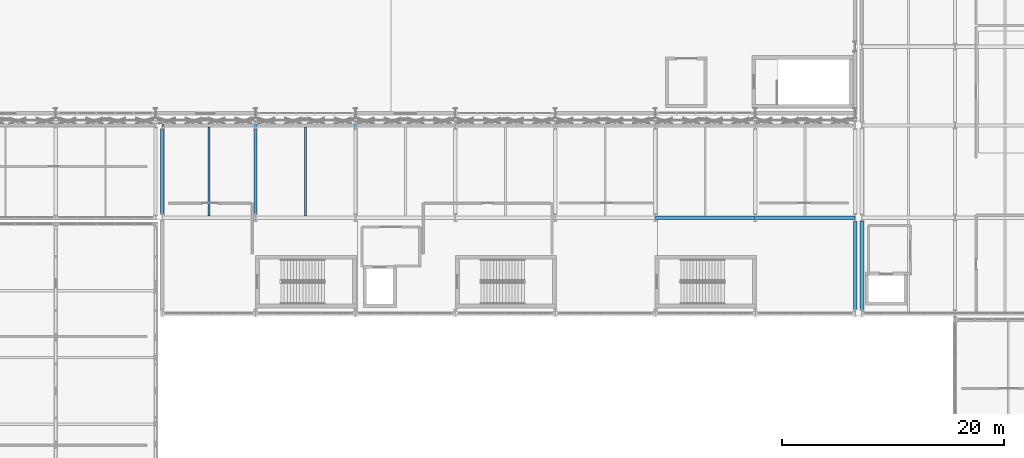
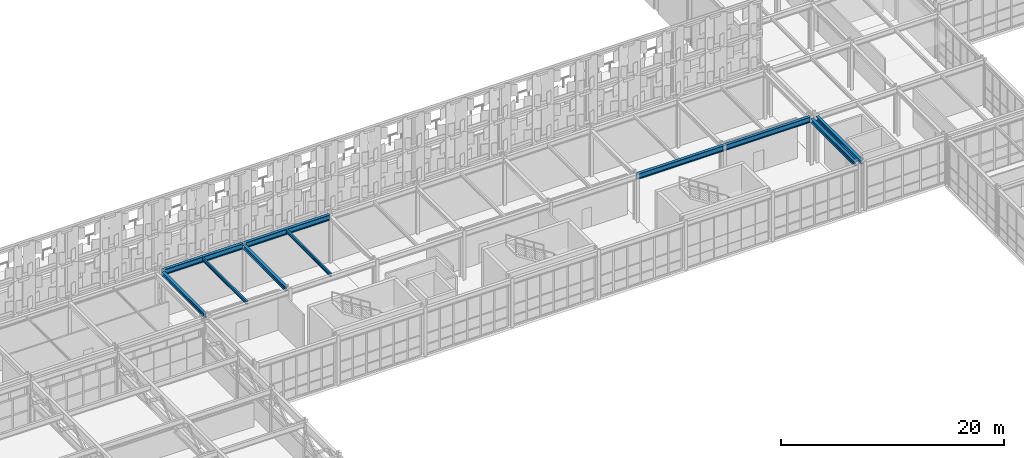
# One storey, part 66 of 210: 10 beams.
"""IFC4 building model written with IfcOpenShell, lengths in metres."""

from ifc_helpers import new_model, si_unit, direction, frame, origin, origin_2d, place, context, subcontext, project, spatial, i_section, extrude, material, material_profile, profile_set, type_object, element, save


model = new_model("IFC4")

# Units and contexts
model_context = context("Model", 3, precision=1e-05, world=origin(), true_north=direction((0.0, 1.0)))
body_context = subcontext(model_context, "Body", "Model", "MODEL_VIEW")
ifc_project = project(units=[si_unit("LENGTHUNIT", "METRE"), si_unit("AREAUNIT", "SQUARE_METRE"), si_unit("VOLUMEUNIT", "CUBIC_METRE"), si_unit("PLANEANGLEUNIT", "RADIAN"), si_unit("MASSUNIT", "GRAM", prefix="KILO")], contexts=[model_context])

# Site, building, storey
site_placement = place(None, origin())
site = spatial("IfcSite", under=ifc_project, at=site_placement, CompositionType="ELEMENT")
building_placement = place(site_placement, origin())
building = spatial("IfcBuilding", under=site, at=building_placement, Name="Kaldris Quays Convention Centre", CompositionType="ELEMENT")
storey_placement = place(building_placement, frame((0.0, 0.0, 6.0)))
storey = spatial("IfcBuildingStorey", under=building, at=storey_placement, Name="L01", CompositionType="ELEMENT", Elevation=6.0)

# Beams
ifc_material = material(Name="Steel S355J2", Category="steel")
ifc_material_profile_1 = material_profile(ifc_material, i_section(OverallWidth=0.300048828125, OverallDepth=0.60009765625, WebThickness=0.015380859375, FlangeThickness=0.030029296875, FilletRadius=0.027099609375, at=origin_2d()), Name="HEB 600")
ifc_profile_set_1 = profile_set([ifc_material_profile_1], Name="Steel S355J2")
beam_type_1 = type_object("IfcBeamType", Name="STRUCTURAL BEAM BM05", PredefinedType="BEAM", material=ifc_profile_set_1)
for number, where, z_axis, x_axis, name in (
    (1, (128.00244140625, 46.60009765625, 4.843017578125), (1.0, 0.0, 0.0), (0.0, 1.0, 0.0), "L01 Girder BM05 15"),
    (2, (137.00244140625, 46.60009765625, 4.843017578125), (1.0, 0.0, 0.0), (0.0, 1.0, 0.0), "L01 Girder BM05 16"),
):
    element("IfcBeam", number, at=place(storey_placement, frame(where, z_axis=z_axis, x_axis=x_axis)), inside=storey, type_object=beam_type_1, Name=name, PredefinedType="BEAM", context=body_context, shape_type="SweptSolid", body=[
        extrude(i_section(OverallWidth=0.300048828125, OverallDepth=0.60009765625, WebThickness=0.015380859375, FlangeThickness=0.030029296875, FilletRadius=0.027099609375, at=origin_2d()), origin(), (0.0, 0.0, 1.0), 8.9951171875),
    ])
beam_1_placement = place(storey_placement, frame((83.6025390625, 54.89990234375, 4.843017578125), z_axis=(1.0, 0.0, 0.0), x_axis=(0.0, 1.0, 0.0)))
element("IfcBeam", 3, at=beam_1_placement, inside=storey, type_object=beam_type_1, Name="L01 Girder BM05 19", PredefinedType="BEAM", context=body_context, shape_type="SweptSolid", body=[
    extrude(i_section(OverallWidth=0.300048828125, OverallDepth=0.60009765625, WebThickness=0.015380859375, FlangeThickness=0.030029296875, FilletRadius=0.027099609375, at=origin_2d()), origin(), (0.0, 0.0, 1.0), 8.39501953125),
])
beam_2_placement = place(storey_placement, frame((92.00244140625, 54.89990234375, 4.843017578125), z_axis=(1.0, 0.0, 0.0), x_axis=(0.0, 1.0, 0.0)))
element("IfcBeam", 4, at=beam_2_placement, inside=storey, type_object=beam_type_1, Name="L01 Girder BM05 20", PredefinedType="BEAM", context=body_context, shape_type="SweptSolid", body=[
    extrude(i_section(OverallWidth=0.300048828125, OverallDepth=0.60009765625, WebThickness=0.015380859375, FlangeThickness=0.030029296875, FilletRadius=0.027099609375, at=origin_2d()), origin(), (0.0, 0.0, 1.0), 8.9951171875),
])
ifc_material_profile_2 = material_profile(ifc_material, i_section(OverallWidth=0.300048828125, OverallDepth=0.449951171875, WebThickness=0.013916015625, FlangeThickness=0.02587890625, FilletRadius=0.027099609375, at=origin_2d()), Name="HEB 450")
ifc_profile_set_2 = profile_set([ifc_material_profile_2], Name="Steel S355J2")
beam_type_2 = type_object("IfcBeamType", Name="STRUCTURAL BEAM BM07", PredefinedType="BEAM", material=ifc_profile_set_2)
for number, where, z_axis, x_axis, name in (
    (5, (83.60009765625, 46.944091796875, 4.91796875), (0.0, 1.0, 0.0), (-1.0, 0.0, 0.0), "L01 Girder BM07 57"),
    (6, (92.0, 46.944091796875, 4.91796875), (0.0, 1.0, 0.0), (-1.0, 0.0, 0.0), "L01 Girder BM07 58"),
):
    element("IfcBeam", number, at=place(storey_placement, frame(where, z_axis=z_axis, x_axis=x_axis)), inside=storey, type_object=beam_type_2, Name=name, PredefinedType="BEAM", context=body_context, shape_type="SweptSolid", body=[
        extrude(i_section(OverallWidth=0.300048828125, OverallDepth=0.449951171875, WebThickness=0.013916015625, FlangeThickness=0.02587890625, FilletRadius=0.027099609375, at=origin_2d()), origin(), (0.0, 0.0, 1.0), 7.61181640625),
    ])
beam_3_placement = place(storey_placement, frame((146.0, 38.343994140625, 4.91796875), z_axis=(0.0, 1.0, 0.0), x_axis=(-1.0, 0.0, 0.0)))
element("IfcBeam", 7, at=beam_3_placement, inside=storey, type_object=beam_type_2, Name="L01 Girder BM07 64", PredefinedType="BEAM", context=body_context, shape_type="SweptSolid", body=[
    extrude(i_section(OverallWidth=0.300048828125, OverallDepth=0.449951171875, WebThickness=0.013916015625, FlangeThickness=0.02587890625, FilletRadius=0.027099609375, at=origin_2d()), origin(), (0.0, 0.0, 1.0), 7.912109375),
])
beam_4_placement = place(storey_placement, frame((146.60009765625, 38.2939453125, 4.91796875), z_axis=(0.0, 1.0, 0.0), x_axis=(-1.0, 0.0, 0.0)))
element("IfcBeam", 8, at=beam_4_placement, inside=storey, type_object=beam_type_2, Name="L01 Girder BM07 66", PredefinedType="BEAM", context=body_context, shape_type="SweptSolid", body=[
    extrude(i_section(OverallWidth=0.300048828125, OverallDepth=0.449951171875, WebThickness=0.013916015625, FlangeThickness=0.02587890625, FilletRadius=0.027099609375, at=origin_2d()), origin(), (0.0, 0.0, 1.0), 8.011962890625),
])
ifc_material_profile_3 = material_profile(ifc_material, i_section(OverallWidth=0.169921875, OverallDepth=0.360107421875, WebThickness=0.008056640625, FlangeThickness=0.0126953125, FilletRadius=0.01806640625, at=origin_2d()), Name="IPE 360")
ifc_profile_set_3 = profile_set([ifc_material_profile_3], Name="Steel S355J2")
beam_type_3 = type_object("IfcBeamType", Name="STRUCTURAL BEAM JT03", PredefinedType="JOIST", material=ifc_profile_set_3)
for number, where, z_axis, x_axis, name in (
    (9, (87.800048828125, 46.743896484375, 4.962890625), (0.0, 1.0, 0.0), (-1.0, 0.0, 0.0), "L01 Secondary Joist JT03 3"),
    (10, (96.5, 46.743896484375, 4.962890625), (0.0, 1.0, 0.0), (-1.0, 0.0, 0.0), "L01 Secondary Joist JT03 4"),
):
    element("IfcBeam", number, at=place(storey_placement, frame(where, z_axis=z_axis, x_axis=x_axis)), inside=storey, type_object=beam_type_3, Name=name, PredefinedType="JOIST", context=body_context, shape_type="SweptSolid", body=[
        extrude(i_section(OverallWidth=0.169921875, OverallDepth=0.360107421875, WebThickness=0.008056640625, FlangeThickness=0.0126953125, FilletRadius=0.01806640625, at=origin_2d()), origin(), (0.0, 0.0, 1.0), 8.01220703125),
    ])

save(model, "model.ifc")
